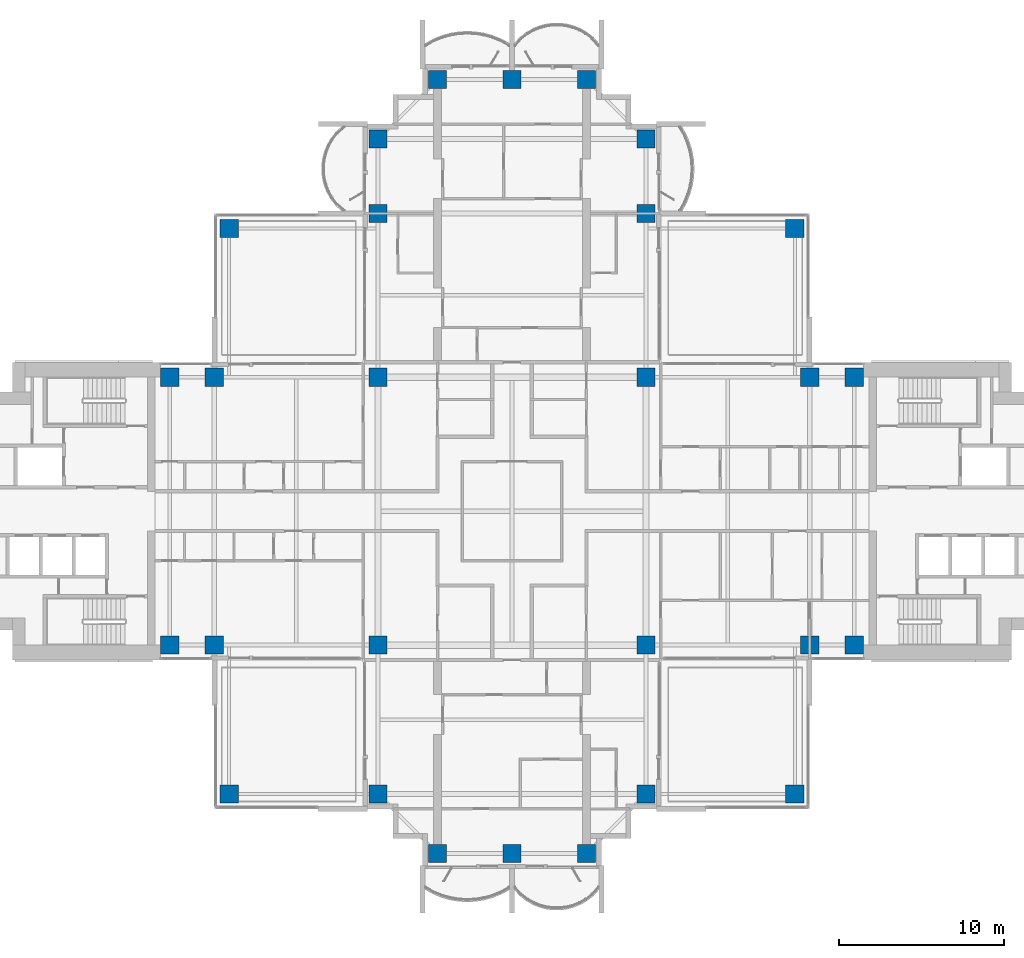
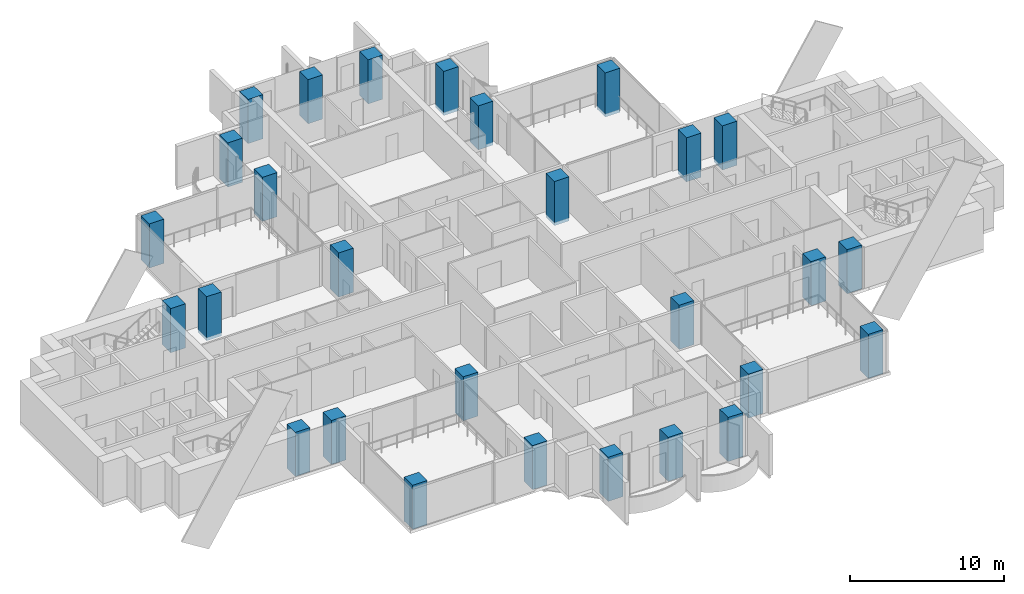
# One storey, part 1 of 19: 28 columns.
"""IFC4 building model written with IfcOpenShell, lengths in metres."""

from ifc_helpers import new_model, si_unit, direction, frame, origin, origin_2d, place, context, subcontext, project, spatial, rectangle, extrude, material, material_profile, profile_set, type_object, element, save


model = new_model("IFC4")

# Units and contexts
model_context = context("Model", 3, precision=1e-05, world=origin(), true_north=direction((0.0, 1.0)))
body_context = subcontext(model_context, "Body", "Model", "MODEL_VIEW")
ifc_project = project(units=[si_unit("LENGTHUNIT", "METRE"), si_unit("AREAUNIT", "SQUARE_METRE"), si_unit("VOLUMEUNIT", "CUBIC_METRE"), si_unit("PLANEANGLEUNIT", "RADIAN"), si_unit("MASSUNIT", "GRAM", prefix="KILO")], contexts=[model_context])

# Site, building, storey
site_placement = place(None, origin())
site = spatial("IfcSite", under=ifc_project, at=site_placement, CompositionType="ELEMENT")
building_placement = place(site_placement, origin())
building = spatial("IfcBuilding", under=site, at=building_placement, Name="Perihelion Cross Residences", CompositionType="ELEMENT")
storey_placement = place(building_placement, frame((0.0, 0.0, 105.89990234375)))
storey = spatial("IfcBuildingStorey", under=building, at=storey_placement, Name="L24", CompositionType="ELEMENT", Elevation=105.89990234375)

# Columns
ifc_material = material(Name="Concrete C60/75", Category="concrete")
ifc_material_profile = material_profile(ifc_material, rectangle(XDim=1.10009765625, YDim=1.10009765625, at=origin_2d()), Name="RC 1100x1100")
ifc_profile_set = profile_set([ifc_material_profile], Name="Concrete C60/75")
column_type = type_object("IfcColumnType", Name="Reinforced concrete column 1100x1100 C60/75", PredefinedType="COLUMN", material=ifc_profile_set)
for number, where, z_axis, x_axis, name in (
    (1, (-20.699951171875, -8.10009765625, -0.25), (0.0, 0.0, 1.0), (1.0, 0.0, 0.0), "Column C017 L24 no. 1"),
    (2, (-20.699951171875, 8.10009765625, -0.25), (0.0, 0.0, 1.0), (1.0, 0.0, 0.0), "Column C010 L24 no. 1"),
    (3, (-18.0, -8.10009765625, -0.25), (0.0, 0.0, 1.0), (1.0, 0.0, 0.0), "Column C018 L24 no. 1"),
    (4, (-18.0, 8.10009765625, -0.25), (0.0, 0.0, 1.0), (1.0, 0.0, 0.0), "Column C011 L24 no. 1"),
    (5, (-8.10009765625, -17.10009765625, -0.25), (0.0, 0.0, 1.0), (1.0, 0.0, 0.0), "Column C031 L24 no. 1"),
    (6, (-8.10009765625, -8.10009765625, -0.25), (0.0, 0.0, 1.0), (1.0, 0.0, 0.0), "Column C019 L24 no. 1"),
    (7, (-8.10009765625, 8.10009765625, -0.25), (0.0, 0.0, 1.0), (1.0, 0.0, 0.0), "Column C012 L24 no. 1"),
    (8, (-8.10009765625, 18.0, -0.25), (0.0, 0.0, 1.0), (1.0, 0.0, 0.0), "Column C006 L24 no. 1"),
    (9, (-8.10009765625, 22.5, -0.25), (0.0, 0.0, 1.0), (1.0, 0.0, 0.0), "Column C004 L24 no. 1"),
    (10, (-4.5, -20.699951171875, -0.25), (0.0, 0.0, 1.0), (1.0, 0.0, 0.0), "Column C037 L24 no. 1"),
    (11, (-4.5, 26.10009765625, -0.25), (0.0, 0.0, 1.0), (1.0, 0.0, 0.0), "Column C001 L24 no. 1"),
    (12, (0.0, -20.699951171875, -0.25), (0.0, 0.0, 1.0), (1.0, 0.0, 0.0), "Column C038 L24 no. 1"),
    (13, (0.0, 26.10009765625, -0.25), (0.0, 0.0, 1.0), (1.0, 0.0, 0.0), "Column C002 L24 no. 1"),
    (14, (4.5, -20.699951171875, -0.25), (0.0, 0.0, 1.0), (1.0, 0.0, 0.0), "Column C039 L24 no. 1"),
    (15, (4.5, 26.10009765625, -0.25), (0.0, 0.0, 1.0), (1.0, 0.0, 0.0), "Column C003 L24 no. 1"),
    (16, (8.10009765625, -17.10009765625, -0.25), (0.0, 0.0, 1.0), (1.0, 0.0, 0.0), "Column C035 L24 no. 1"),
    (17, (8.10009765625, -8.10009765625, -0.25), (0.0, 0.0, 1.0), (1.0, 0.0, 0.0), "Column C020 L24 no. 1"),
    (18, (8.10009765625, 8.10009765625, -0.25), (0.0, 0.0, 1.0), (1.0, 0.0, 0.0), "Column C014 L24 no. 1"),
    (19, (8.10009765625, 18.0, -0.25), (0.0, 0.0, 1.0), (1.0, 0.0, 0.0), "Column C007 L24 no. 1"),
    (20, (8.10009765625, 22.5, -0.25), (0.0, 0.0, 1.0), (1.0, 0.0, 0.0), "Column C005 L24 no. 1"),
    (21, (18.0, -8.10009765625, -0.25), (0.0, 0.0, 1.0), (1.0, 0.0, 0.0), "Column C021 L24 no. 1"),
    (22, (18.0, 8.10009765625, -0.25), (0.0, 0.0, 1.0), (1.0, 0.0, 0.0), "Column C015 L24 no. 1"),
    (23, (20.699951171875, -8.10009765625, -0.25), (0.0, 0.0, 1.0), (1.0, 0.0, 0.0), "Column C022 L24 no. 1"),
    (24, (20.699951171875, 8.10009765625, -0.25), (0.0, 0.0, 1.0), (1.0, 0.0, 0.0), "Column C016 L24 no. 1"),
    (25, (17.10009765625, 17.10009765625, -0.25), (0.0, 0.0, 1.0), (1.0, 0.0, 0.0), "Column C009 L24 no. 1"),
    (26, (-17.10009765625, 17.10009765625, -0.25), (0.0, 0.0, 1.0), (1.0, 0.0, 0.0), "Column C008 L24 no. 1"),
    (27, (-17.10009765625, -17.10009765625, -0.25), (0.0, 0.0, 1.0), (1.0, 0.0, 0.0), "Column C030 L24 no. 1"),
    (28, (17.10009765625, -17.10009765625, -0.25), (0.0, 0.0, 1.0), (1.0, 0.0, 0.0), "Column C036 L24 no. 1"),
):
    element("IfcColumn", number, at=place(storey_placement, frame(where, z_axis=z_axis, x_axis=x_axis)), inside=storey, type_object=column_type, Name=name, PredefinedType="COLUMN", context=body_context, shape_type="SweptSolid", body=[
        extrude(rectangle(XDim=1.10009765625, YDim=1.10009765625, at=origin_2d()), origin(), (0.0, 0.0, 1.0), 3.5),
    ])

save(model, "model.ifc")
